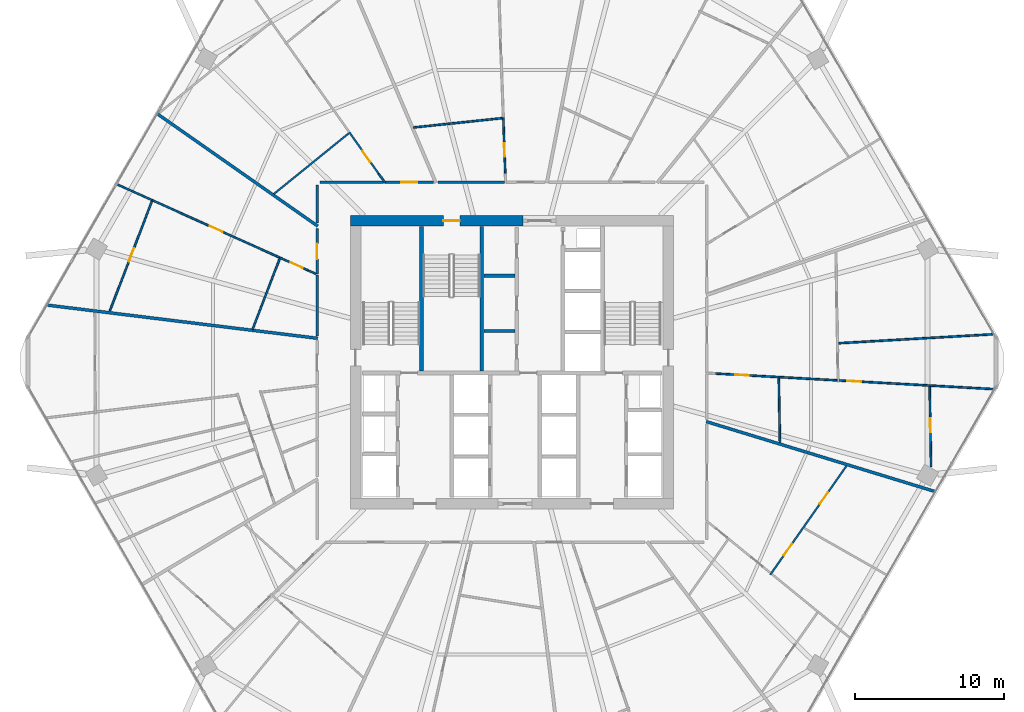
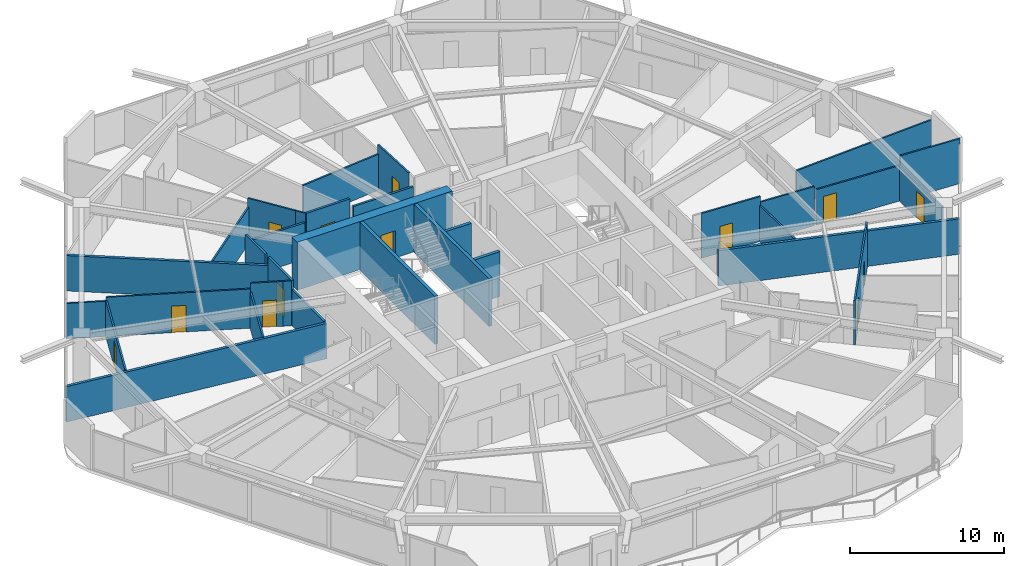
# One storey, part 27 of 33: 33 walls, 13 doors, 13 openings.
"""IFC4 building model written with IfcOpenShell, lengths in metres."""

from ifc_helpers import new_model, si_unit, direction, frame, frame_2d, origin, place, context, subcontext, project, spatial, rectangle, extrude, material, layer, layer_set, type_object, element, fill, save


model = new_model("IFC4")

# Units and contexts
model_context = context("Model", 3, precision=1e-05, world=origin(), true_north=direction((0.0, 1.0)))
body_context = subcontext(model_context, "Body", "Model", "MODEL_VIEW")
ifc_project = project(units=[si_unit("LENGTHUNIT", "METRE"), si_unit("AREAUNIT", "SQUARE_METRE"), si_unit("VOLUMEUNIT", "CUBIC_METRE"), si_unit("PLANEANGLEUNIT", "RADIAN"), si_unit("MASSUNIT", "GRAM", prefix="KILO")], contexts=[model_context])

# Site, building, storey
site_placement = place(None, origin())
site = spatial("IfcSite", under=ifc_project, at=site_placement, CompositionType="ELEMENT")
building_placement = place(site_placement, origin())
building = spatial("IfcBuilding", under=site, at=building_placement, Name="Zuhravey Tower", CompositionType="ELEMENT")
storey_placement = place(building_placement, frame((0.0, 0.0, 103.800048828125)))
storey = spatial("IfcBuildingStorey", under=building, at=storey_placement, Name="L25", CompositionType="ELEMENT", Elevation=103.800048828125)

# Wall, opening, door
ifc_material_1 = material(Name="Concrete C60/75", Category="concrete")
ifc_layer_1 = layer(ifc_material_1, 0.699951171875)
ifc_layer_set_1 = layer_set([ifc_layer_1], Name="Concrete C60/75")
wall_type_1 = type_object("IfcWallType", Name="Core Shear Wall 700", PredefinedType="SHEAR", material=ifc_layer_set_1)
wall_1_placement = place(storey_placement, frame((36.75, 41.5, 0.0), z_axis=(0.0, 0.0, 1.0), x_axis=(-1.0, 0.0, 0.0)))
wall_1 = element("IfcWall", 1, at=wall_1_placement, inside=storey, type_object=wall_type_1, Name="L25 North-West Core Shear Wall CW70", PredefinedType="SHEAR", context=body_context, shape_type="SweptSolid", body=[
    extrude(rectangle(XDim=11.60009765625, YDim=0.699951171875, at=frame_2d((5.800048828125, 0.0))), origin(), (0.0, 0.0, 1.0), 3.800048828125),
])
opening_1_placement = place(wall_1_placement, frame((4.25, 0.0, 0.0)))
opening_1 = element("IfcOpeningElement", 2, at=opening_1_placement, cuts=wall_1, Name="Opening STD1", PredefinedType="OPENING", context=body_context, shape_type="SweptSolid", body=[
    extrude(rectangle(XDim=1.10009765625, YDim=2.14990234375, at=frame_2d((0.550048828125, 1.074951171875))), frame((0.0, 0.362060546875, 0.0), z_axis=(0.0, -1.0, 0.0), x_axis=(1.0, 0.0, 0.0)), (0.0, 0.0, 1.0), 0.723876953125),
])
ifc_material_2 = material(Name="Galvanised fire-rated steel leaf", Category="steel")
door_type_1 = type_object("IfcDoorType", Name="Protected Stair Fire Door 1100x2150", OperationType="NOTDEFINED", PredefinedType="USERDEFINED", material=ifc_material_2)
door_1_placement = place(opening_1_placement, origin())
door_1 = element("IfcDoor", 3, at=door_1_placement, inside=storey, type_object=door_type_1, Name="L25 Stair ST3 Door", ObjectType="EXITDOOR", OperationType="SINGLE_SWING_RIGHT", OverallHeight=2.14990234375, OverallWidth=1.10009765625, PredefinedType="USERDEFINED", context=body_context, shape_type="SweptSolid", body=[
    extrude(rectangle(XDim=1.10009765625, YDim=2.14990234375, at=frame_2d((0.550048828125, 1.074951171875))), frame((0.0, 0.02490234375, 0.0), z_axis=(0.0, -1.0, 0.0), x_axis=(1.0, 0.0, 0.0)), (0.0, 0.0, 1.0), 0.050048828125),
])
fill(opening_1, door_1)

ifc_material_3 = material(Name="Gypsum fire-rated stud partition")
ifc_layer_2 = layer(ifc_material_3, 0.159912109375)
ifc_layer_set_2 = layer_set([ifc_layer_2], Name="Gypsum fire-rated stud partition")
wall_type_2 = type_object("IfcWallType", Name="Corridor Fire Partition 160", PredefinedType="PARTITIONING", material=ifc_layer_set_2)
wall_2_placement = place(storey_placement, frame((30.7255859375, 44.080078125, 0.0), z_axis=(0.0, 0.0, 1.0), x_axis=(-1.0, 0.0, 0.0)))
wall_2 = element("IfcWall", 4, at=wall_2_placement, inside=storey, type_object=wall_type_2, Name="L25 IW16 Partition 038", PredefinedType="PARTITIONING", context=body_context, shape_type="SweptSolid", body=[
    extrude(rectangle(XDim=3.247802734375, YDim=0.159912109375, at=frame_2d((1.6240234375, 0.0))), origin(), (0.0, 0.0, 1.0), 3.550048828125),
])
opening_2_placement = place(wall_2_placement, frame((1.09912109375, 0.0, 0.0)))
opening_2 = element("IfcOpeningElement", 5, at=opening_2_placement, cuts=wall_2, Name="Opening APD1", PredefinedType="OPENING", context=body_context, shape_type="SweptSolid", body=[
    extrude(rectangle(XDim=1.050048828125, YDim=2.14990234375, at=frame_2d((0.52490234375, 1.074951171875))), frame((0.0, 0.092041015625, 0.0), z_axis=(0.0, -1.0, 0.0), x_axis=(1.0, 0.0, 0.0)), (0.0, 0.0, 1.0), 0.183837890625),
])
ifc_material_4 = material(Name="Solid-core oak fire-rated leaf")
door_type_2 = type_object("IfcDoorType", Name="Apartment Entrance Fire Door 1050x2150", OperationType="NOTDEFINED", PredefinedType="DOOR", material=ifc_material_4)
door_2_placement = place(opening_2_placement, frame((1.050048828125, 0.0, 0.0), z_axis=(0.0, 0.0, 1.0), x_axis=(-1.0, 0.0, 0.0)))
door_2 = element("IfcDoor", 6, at=door_2_placement, inside=storey, type_object=door_type_2, Name="L25 Door 038.1", OperationType="SINGLE_SWING_RIGHT", OverallHeight=2.14990234375, OverallWidth=1.050048828125, PredefinedType="DOOR", context=body_context, shape_type="SweptSolid", body=[
    extrude(rectangle(XDim=1.050048828125, YDim=2.14990234375, at=frame_2d((0.52490234375, 1.074951171875))), frame((0.0, 0.02490234375, 0.0), z_axis=(0.0, -1.0, 0.0), x_axis=(1.0, 0.0, 0.0)), (0.0, 0.0, 1.0), 0.050048828125),
])
fill(opening_2, door_2)

wall_3_placement = place(storey_placement, frame((22.919921875, 40.96533203125, 0.0), z_axis=(0.0, 0.0, 1.0), x_axis=(0.0, -1.0, 0.0)))
wall_3 = element("IfcWall", 7, at=wall_3_placement, inside=storey, type_object=wall_type_2, Name="L25 IW16 Partition 042", PredefinedType="PARTITIONING", context=body_context, shape_type="SweptSolid", body=[
    extrude(rectangle(XDim=3.053955078125, YDim=0.159912109375, at=frame_2d((1.52685546875, 0.0))), origin(), (0.0, 0.0, 1.0), 3.550048828125),
])
opening_3_placement = place(wall_3_placement, frame((1.002197265625, 0.0, 0.0)))
opening_3 = element("IfcOpeningElement", 8, at=opening_3_placement, cuts=wall_3, Name="Opening APD1", PredefinedType="OPENING", context=body_context, shape_type="SweptSolid", body=[
    extrude(rectangle(XDim=1.050048828125, YDim=2.14990234375, at=frame_2d((0.52490234375, 1.074951171875))), frame((0.0, 0.092041015625, 0.0), z_axis=(0.0, -1.0, 0.0), x_axis=(1.0, 0.0, 0.0)), (0.0, 0.0, 1.0), 0.183837890625),
])
door_3_placement = place(opening_3_placement, frame((1.050048828125, 0.0, 0.0), z_axis=(0.0, 0.0, 1.0), x_axis=(-1.0, 0.0, 0.0)))
door_3 = element("IfcDoor", 9, at=door_3_placement, inside=storey, type_object=door_type_2, Name="L25 Door 042.1", OperationType="SINGLE_SWING_RIGHT", OverallHeight=2.14990234375, OverallWidth=1.050048828125, PredefinedType="DOOR", context=body_context, shape_type="SweptSolid", body=[
    extrude(rectangle(XDim=1.050048828125, YDim=2.14990234375, at=frame_2d((0.52490234375, 1.074951171875))), frame((0.0, 0.02490234375, 0.0), z_axis=(0.0, -1.0, 0.0), x_axis=(1.0, 0.0, 0.0)), (0.0, 0.0, 1.0), 0.050048828125),
])
fill(opening_3, door_3)

# Walls
wall_4_placement = place(storey_placement, frame((35.501708984375, 44.080078125, 0.0), z_axis=(0.0, 0.0, 1.0), x_axis=(-1.0, 0.0, 0.0)))
element("IfcWall", 10, at=wall_4_placement, inside=storey, type_object=wall_type_2, Name="L25 IW16 Partition 140", PredefinedType="PARTITIONING", context=body_context, shape_type="SweptSolid", body=[
    extrude(rectangle(XDim=4.48388671875, YDim=0.159912109375, at=frame_2d((2.241943359375, 0.0))), origin(), (0.0, 0.0, 1.0), 2.849853515625),
])
wall_5_placement = place(storey_placement, frame((27.369873046875, 44.080078125, 0.0), z_axis=(0.0, 0.0, 1.0), x_axis=(-1.0, 0.0, 0.0)))
element("IfcWall", 11, at=wall_5_placement, inside=storey, type_object=wall_type_2, Name="L25 IW16 Partition 141", PredefinedType="PARTITIONING", context=body_context, shape_type="SweptSolid", body=[
    extrude(rectangle(XDim=4.269775390625, YDim=0.159912109375, at=frame_2d((2.134765625, 0.0))), origin(), (0.0, 0.0, 1.0), 2.849853515625),
])
wall_6_placement = place(storey_placement, frame((22.919921875, 43.89990234375, 0.0), z_axis=(0.0, 0.0, 1.0), x_axis=(0.0, -1.0, 0.0)))
element("IfcWall", 12, at=wall_6_placement, inside=storey, type_object=wall_type_2, Name="L25 IW16 Partition 142", PredefinedType="PARTITIONING", context=body_context, shape_type="SweptSolid", body=[
    extrude(rectangle(XDim=2.54541015625, YDim=0.159912109375, at=frame_2d((1.272705078125, 0.0))), origin(), (0.0, 0.0, 1.0), 3.550048828125),
])
wall_7_placement = place(storey_placement, frame((22.919921875, 37.867431640625, 0.0), z_axis=(0.0, 0.0, 1.0), x_axis=(0.0, -1.0, 0.0)))
element("IfcWall", 13, at=wall_7_placement, inside=storey, type_object=wall_type_2, Name="L25 IW16 Partition 143", PredefinedType="PARTITIONING", context=body_context, shape_type="SweptSolid", body=[
    extrude(rectangle(XDim=4.125244140625, YDim=0.159912109375, at=frame_2d((2.0625, 0.0))), origin(), (0.0, 0.0, 1.0), 2.849853515625),
])
ifc_material_5 = material(Name="Concrete C50/60", Category="concrete")
ifc_layer_3 = layer(ifc_material_5, 0.25)
ifc_layer_set_3 = layer_set([ifc_layer_3], Name="Concrete C50/60")
wall_type_3 = type_object("IfcWallType", Name="Firefighting Shaft & Stair Wall 250", PredefinedType="SOLIDWALL", material=ifc_layer_set_3)
for number, where, z_axis, x_axis, name in (
    (14, (29.925048828125, 31.39990234375, 0.0), (0.0, 0.0, 1.0), (0.0, 1.0, 0.0), "L25 FW25 Shaft Wall 004"),
    (15, (33.97509765625, 31.39990234375, 0.0), (0.0, 0.0, 1.0), (0.0, 1.0, 0.0), "L25 FW25 Shaft Wall 005"),
):
    element("IfcWall", number, at=place(storey_placement, frame(where, z_axis=z_axis, x_axis=x_axis)), inside=storey, type_object=wall_type_3, Name=name, PredefinedType="SOLIDWALL", context=body_context, shape_type="SweptSolid", body=[
        extrude(rectangle(XDim=9.7001953125, YDim=0.25, at=frame_2d((4.85009765625, 0.0))), origin(), (0.0, 0.0, 1.0), 3.800048828125),
    ])
ifc_material_6 = material(Name="Gypsum double-stud party assembly")
ifc_layer_4 = layer(ifc_material_6, 0.199951171875)
ifc_layer_set_4 = layer_set([ifc_layer_4], Name="Gypsum double-stud party assembly")
wall_type_4 = type_object("IfcWallType", Name="Inter-Tenancy Party Wall 200", PredefinedType="PARTITIONING", material=ifc_layer_set_4)
wall_8_placement = place(storey_placement, frame((22.9599609375, 41.130615234375, 0.0), z_axis=(0.0, 0.0, 1.0), x_axis=(-0.819148180014, 0.573581955068, 0.0)))
element("IfcWall", 16, at=wall_8_placement, inside=storey, type_object=wall_type_4, Name="L25 IW20 Partition 101", PredefinedType="PARTITIONING", context=body_context, shape_type="SweptSolid", body=[
    extrude(rectangle(XDim=13.150146484375, YDim=0.199951171875, at=frame_2d((6.5751953125, 0.0))), origin(), (0.0, 0.0, 1.0), 2.800048828125),
])
wall_9_placement = place(storey_placement, frame((22.9599609375, 33.60107421875, 0.0), z_axis=(0.0, 0.0, 1.0), x_axis=(-0.99254551981, 0.121874489148, 0.0)))
element("IfcWall", 17, at=wall_9_placement, inside=storey, type_object=wall_type_4, Name="L25 IW20 Partition 105", PredefinedType="PARTITIONING", context=body_context, shape_type="SweptSolid", body=[
    extrude(rectangle(XDim=18.3212890625, YDim=0.199951171875, at=frame_2d((9.16064453125, 0.0))), origin(), (0.0, 0.0, 1.0), 2.800048828125),
])
wall_10_placement = place(storey_placement, frame((49.0400390625, 28.01318359375, 0.0), z_axis=(0.0, 0.0, 1.0), x_axis=(0.956308788135, -0.292358515757, 0.0)))
element("IfcWall", 18, at=wall_10_placement, inside=storey, type_object=wall_type_4, Name="L25 IW20 Partition 132", PredefinedType="PARTITIONING", context=body_context, shape_type="SweptSolid", body=[
    extrude(rectangle(XDim=16.084228515625, YDim=0.199951171875, at=frame_2d((8.0419921875, 0.0))), origin(), (0.0, 0.0, 1.0), 2.800048828125),
])
ifc_material_7 = material(Name="Gypsum acoustic stud assembly")
ifc_layer_5 = layer(ifc_material_7, 0.219970703125)
ifc_layer_set_5 = layer_set([ifc_layer_5], Name="Gypsum acoustic stud assembly")
wall_type_5 = type_object("IfcWallType", Name="School Acoustic Compartment Wall 220", PredefinedType="PARTITIONING", material=ifc_layer_set_5)
for number, where, z_axis, x_axis, name in (
    (19, (34.10791015625, 34.10009765625, 0.0), (0.0, 0.0, 1.0), (1.0, 0.0, 0.0), "L25 IW22 Partition 075"),
    (20, (34.10791015625, 37.800048828125, 0.0), (0.0, 0.0, 1.0), (1.0, 0.0, 0.0), "L25 IW22 Partition 076"),
):
    element("IfcWall", number, at=place(storey_placement, frame(where, z_axis=z_axis, x_axis=x_axis)), inside=storey, type_object=wall_type_5, Name=name, PredefinedType="PARTITIONING", context=body_context, shape_type="SweptSolid", body=[
        extrude(rectangle(XDim=2.083984375, YDim=0.219970703125, at=frame_2d((1.0419921875, 0.0))), origin(), (0.0, 0.0, 1.0), 3.550048828125),
    ])

# Wall, opening, door
ifc_material_8 = material(Name="Gypsum metal-stud partition")
ifc_layer_6 = layer(ifc_material_8, 0.1201171875)
ifc_layer_set_6 = layer_set([ifc_layer_6], Name="Gypsum metal-stud partition")
wall_type_6 = type_object("IfcWallType", Name="Unit Internal Partition 120", PredefinedType="PARTITIONING", material=ifc_layer_set_6)
wall_11_placement = place(storey_placement, frame((35.54931640625, 44.64990234375, 0.0), z_axis=(0.0, 0.0, 1.0), x_axis=(-0.03561286173, 0.999365660847, 0.0)))
wall_11 = element("IfcWall", 21, at=wall_11_placement, inside=storey, type_object=wall_type_6, Name="L25 IW12 Partition 029", PredefinedType="PARTITIONING", context=body_context, shape_type="SweptSolid", body=[
    extrude(rectangle(XDim=3.763671875, YDim=0.1201171875, at=frame_2d((1.8818359375, 0.0))), origin(), (0.0, 0.0, 1.0), 3.550048828125),
])
opening_4_placement = place(wall_11_placement, frame((1.130615234375, 0.0, 0.0)))
opening_4 = element("IfcOpeningElement", 22, at=opening_4_placement, cuts=wall_11, Name="Opening WCD1", PredefinedType="OPENING", context=body_context, shape_type="SweptSolid", body=[
    extrude(rectangle(XDim=0.89990234375, YDim=2.10009765625, at=frame_2d((0.449951171875, 1.050048828125))), frame((0.0, 0.072021484375, 0.0), z_axis=(0.0, -1.0, 0.0), x_axis=(1.0, 0.0, 0.0)), (0.0, 0.0, 1.0), 0.14404296875),
])
ifc_material_9 = material(Name="Moisture-resistant timber leaf", Category="wood")
door_type_3 = type_object("IfcDoorType", Name="Bathroom & WC Internal Door 900x2100", OperationType="NOTDEFINED", PredefinedType="DOOR", material=ifc_material_9)
door_4_placement = place(opening_4_placement, origin())
door_4 = element("IfcDoor", 23, at=door_4_placement, inside=storey, type_object=door_type_3, Name="Apartment L25-03 Bathroom Door", OperationType="SINGLE_SWING_RIGHT", OverallHeight=2.10009765625, OverallWidth=0.89990234375, PredefinedType="DOOR", context=body_context, shape_type="SweptSolid", body=[
    extrude(rectangle(XDim=0.89990234375, YDim=2.10009765625, at=frame_2d((0.449951171875, 1.050048828125))), frame((0.0, 0.02490234375, 0.0), z_axis=(0.0, -1.0, 0.0), x_axis=(1.0, 0.0, 0.0)), (0.0, 0.0, 1.0), 0.050048828125),
])
fill(opening_4, door_4)

wall_12_placement = place(storey_placement, frame((27.0498046875, 44.64990234375, 0.0), z_axis=(0.0, 0.0, 1.0), x_axis=(-0.577553372085, 0.816352927595, 0.0)))
wall_12 = element("IfcWall", 24, at=wall_12_placement, inside=storey, type_object=wall_type_6, Name="L25 IW12 Partition 034", PredefinedType="PARTITIONING", context=body_context, shape_type="SweptSolid", body=[
    extrude(rectangle(XDim=3.40234375, YDim=0.1201171875, at=frame_2d((1.701171875, 0.0))), origin(), (0.0, 0.0, 1.0), 3.550048828125),
])
opening_5_placement = place(wall_12_placement, frame((0.97900390625, 0.0, 0.0)))
opening_5 = element("IfcOpeningElement", 25, at=opening_5_placement, cuts=wall_12, Name="Opening WCD1", PredefinedType="OPENING", context=body_context, shape_type="SweptSolid", body=[
    extrude(rectangle(XDim=0.89990234375, YDim=2.10009765625, at=frame_2d((0.449951171875, 1.050048828125))), frame((0.0, 0.072021484375, 0.0), z_axis=(0.0, -1.0, 0.0), x_axis=(1.0, 0.0, 0.0)), (0.0, 0.0, 1.0), 0.14404296875),
])
door_5_placement = place(opening_5_placement, origin())
door_5 = element("IfcDoor", 26, at=door_5_placement, inside=storey, type_object=door_type_3, Name="Apartment L25-04 Bathroom Door", OperationType="SINGLE_SWING_LEFT", OverallHeight=2.10009765625, OverallWidth=0.89990234375, PredefinedType="DOOR", context=body_context, shape_type="SweptSolid", body=[
    extrude(rectangle(XDim=0.89990234375, YDim=2.10009765625, at=frame_2d((0.449951171875, 1.050048828125))), frame((0.0, 0.02490234375, 0.0), z_axis=(0.0, -1.0, 0.0), x_axis=(1.0, 0.0, 0.0)), (0.0, 0.0, 1.0), 0.050048828125),
])
fill(opening_5, door_5)

wall_13_placement = place(storey_placement, frame((22.35009765625, 38.14599609375, 0.0), z_axis=(0.0, 0.0, 1.0), x_axis=(-0.911826982845, 0.410574662341, 0.0)))
wall_13 = element("IfcWall", 27, at=wall_13_placement, inside=storey, type_object=wall_type_6, Name="L25 IW12 Partition 039", PredefinedType="PARTITIONING", context=body_context, shape_type="SweptSolid", body=[
    extrude(rectangle(XDim=2.126953125, YDim=0.1201171875, at=frame_2d((1.0634765625, 0.0))), origin(), (0.0, 0.0, 1.0), 3.550048828125),
])
opening_6_placement = place(wall_13_placement, frame((0.443359375, 0.0, 0.0)))
opening_6 = element("IfcOpeningElement", 28, at=opening_6_placement, cuts=wall_13, Name="Opening WCD1", PredefinedType="OPENING", context=body_context, shape_type="SweptSolid", body=[
    extrude(rectangle(XDim=0.89990234375, YDim=2.10009765625, at=frame_2d((0.449951171875, 1.050048828125))), frame((0.0, 0.072021484375, 0.0), z_axis=(0.0, -1.0, 0.0), x_axis=(1.0, 0.0, 0.0)), (0.0, 0.0, 1.0), 0.14404296875),
])
door_6_placement = place(opening_6_placement, origin())
door_6 = element("IfcDoor", 29, at=door_6_placement, inside=storey, type_object=door_type_3, Name="Apartment L25-05 Bathroom Door", OperationType="SINGLE_SWING_LEFT", OverallHeight=2.10009765625, OverallWidth=0.89990234375, PredefinedType="DOOR", context=body_context, shape_type="SweptSolid", body=[
    extrude(rectangle(XDim=0.89990234375, YDim=2.10009765625, at=frame_2d((0.449951171875, 1.050048828125))), frame((0.0, 0.02490234375, 0.0), z_axis=(0.0, -1.0, 0.0), x_axis=(1.0, 0.0, 0.0)), (0.0, 0.0, 1.0), 0.050048828125),
])
fill(opening_6, door_6)

wall_14_placement = place(storey_placement, frame((20.41064453125, 39.019287109375, 0.0), z_axis=(0.0, 0.0, 1.0), x_axis=(-0.911837449282, 0.410551417104, 0.0)))
wall_14 = element("IfcWall", 30, at=wall_14_placement, inside=storey, type_object=wall_type_6, Name="L25 IW12 Partition 040", PredefinedType="PARTITIONING", context=body_context, shape_type="SweptSolid", body=[
    extrude(rectangle(XDim=9.404052734375, YDim=0.1201171875, at=frame_2d((4.7021484375, 0.0))), origin(), (0.0, 0.0, 1.0), 3.099853515625),
])
opening_7_placement = place(wall_14_placement, frame((4.2021484375, 0.0, 0.0)))
opening_7 = element("IfcOpeningElement", 31, at=opening_7_placement, cuts=wall_14, Name="Opening IND1", PredefinedType="OPENING", context=body_context, shape_type="SweptSolid", body=[
    extrude(rectangle(XDim=0.949951171875, YDim=2.10009765625, at=frame_2d((0.47509765625, 1.050048828125))), frame((0.0, 0.072021484375, 0.0), z_axis=(0.0, -1.0, 0.0), x_axis=(1.0, 0.0, 0.0)), (0.0, 0.0, 1.0), 0.14404296875),
])
ifc_material_10 = material(Name="Painted engineered timber leaf", Category="wood")
door_type_4 = type_object("IfcDoorType", Name="Internal Room & Bedroom Door 950x2100", OperationType="NOTDEFINED", PredefinedType="DOOR", material=ifc_material_10)
door_7_placement = place(opening_7_placement, origin())
door_7 = element("IfcDoor", 32, at=door_7_placement, inside=storey, type_object=door_type_4, Name="Apartment L25-05 Home Office Door", OperationType="SINGLE_SWING_RIGHT", OverallHeight=2.10009765625, OverallWidth=0.949951171875, PredefinedType="DOOR", context=body_context, shape_type="SweptSolid", body=[
    extrude(rectangle(XDim=0.949951171875, YDim=2.10009765625, at=frame_2d((0.47509765625, 1.050048828125))), frame((0.0, 0.02490234375, 0.0), z_axis=(0.0, -1.0, 0.0), x_axis=(1.0, 0.0, 0.0)), (0.0, 0.0, 1.0), 0.050048828125),
])
fill(opening_7, door_7)

wall_15_placement = place(storey_placement, frame((11.833984375, 42.806396484375, 0.0), z_axis=(0.0, 0.0, 1.0), x_axis=(-0.358347623064, -0.933588228848, 0.0)))
wall_15 = element("IfcWall", 33, at=wall_15_placement, inside=storey, type_object=wall_type_6, Name="L25 IW12 Partition 041", PredefinedType="PARTITIONING", context=body_context, shape_type="SweptSolid", body=[
    extrude(rectangle(XDim=7.877197265625, YDim=0.1201171875, at=frame_2d((3.9384765625, 0.0))), origin(), (0.0, 0.0, 1.0), 2.849853515625),
])
opening_8_placement = place(wall_15_placement, frame((3.37939453125, 0.0, 0.0)))
opening_8 = element("IfcOpeningElement", 34, at=opening_8_placement, cuts=wall_15, Name="Opening IND1", PredefinedType="OPENING", context=body_context, shape_type="SweptSolid", body=[
    extrude(rectangle(XDim=0.949951171875, YDim=2.10009765625, at=frame_2d((0.47509765625, 1.050048828125))), frame((0.0, 0.072021484375, 0.0), z_axis=(0.0, -1.0, 0.0), x_axis=(1.0, 0.0, 0.0)), (0.0, 0.0, 1.0), 0.14404296875),
])
door_8_placement = place(opening_8_placement, frame((0.949951171875, 0.0, 0.0), z_axis=(0.0, 0.0, 1.0), x_axis=(-1.0, 0.0, 0.0)))
door_8 = element("IfcDoor", 35, at=door_8_placement, inside=storey, type_object=door_type_4, Name="Apartment L25-05 Kitchen Door", OperationType="SINGLE_SWING_LEFT", OverallHeight=2.10009765625, OverallWidth=0.949951171875, PredefinedType="DOOR", context=body_context, shape_type="SweptSolid", body=[
    extrude(rectangle(XDim=0.949951171875, YDim=2.10009765625, at=frame_2d((0.47509765625, 1.050048828125))), frame((0.0, 0.02490234375, 0.0), z_axis=(0.0, -1.0, 0.0), x_axis=(1.0, 0.0, 0.0)), (0.0, 0.0, 1.0), 0.050048828125),
])
fill(opening_8, door_8)

# Wall, openings, doors
wall_16_placement = place(storey_placement, frame((53.33544921875, 17.732421875, 0.0), z_axis=(0.0, 0.0, 1.0), x_axis=(0.573576398243, 0.819152070972, 0.0)))
wall_16 = element("IfcWall", 36, at=wall_16_placement, inside=storey, type_object=wall_type_6, Name="L25 IW12 Partition 063", PredefinedType="PARTITIONING", context=body_context, shape_type="SweptSolid", body=[
    extrude(rectangle(XDim=8.90673828125, YDim=0.1201171875, at=frame_2d((4.453369140625, 0.0))), origin(), (0.0, 0.0, 1.0), 3.550048828125),
])
opening_9_placement = place(wall_16_placement, frame((1.576416015625, 0.0, 0.0)))
opening_9 = element("IfcOpeningElement", 37, at=opening_9_placement, cuts=wall_16, Name="Opening IND1", PredefinedType="OPENING", context=body_context, shape_type="SweptSolid", body=[
    extrude(rectangle(XDim=0.949951171875, YDim=2.10009765625, at=frame_2d((0.47509765625, 1.050048828125))), frame((0.0, 0.072021484375, 0.0), z_axis=(0.0, -1.0, 0.0), x_axis=(1.0, 0.0, 0.0)), (0.0, 0.0, 1.0), 0.14404296875),
])
opening_10_placement = place(wall_16_placement, frame((5.789306640625, 0.0, 0.0)))
opening_10 = element("IfcOpeningElement", 38, at=opening_10_placement, cuts=wall_16, Name="Opening IND1", PredefinedType="OPENING", context=body_context, shape_type="SweptSolid", body=[
    extrude(rectangle(XDim=0.949951171875, YDim=2.10009765625, at=frame_2d((0.47509765625, 1.050048828125))), frame((0.0, 0.072021484375, 0.0), z_axis=(0.0, -1.0, 0.0), x_axis=(1.0, 0.0, 0.0)), (0.0, 0.0, 1.0), 0.14404296875),
])
door_9_placement = place(opening_9_placement, frame((0.949951171875, 0.0, 0.0), z_axis=(0.0, 0.0, 1.0), x_axis=(-1.0, 0.0, 0.0)))
door_9 = element("IfcDoor", 39, at=door_9_placement, inside=storey, type_object=door_type_4, Name="Apartment L25-10 Family Study Door", OperationType="SINGLE_SWING_RIGHT", OverallHeight=2.10009765625, OverallWidth=0.949951171875, PredefinedType="DOOR", context=body_context, shape_type="SweptSolid", body=[
    extrude(rectangle(XDim=0.949951171875, YDim=2.10009765625, at=frame_2d((0.47509765625, 1.050048828125))), frame((0.0, 0.02490234375, 0.0), z_axis=(0.0, -1.0, 0.0), x_axis=(1.0, 0.0, 0.0)), (0.0, 0.0, 1.0), 0.050048828125),
])
fill(opening_9, door_9)
door_10_placement = place(opening_10_placement, frame((0.949951171875, 0.0, 0.0), z_axis=(0.0, 0.0, 1.0), x_axis=(-1.0, 0.0, 0.0)))
door_10 = element("IfcDoor", 40, at=door_10_placement, inside=storey, type_object=door_type_4, Name="Apartment L25-10 Dining Room Door", OperationType="SINGLE_SWING_LEFT", OverallHeight=2.10009765625, OverallWidth=0.949951171875, PredefinedType="DOOR", context=body_context, shape_type="SweptSolid", body=[
    extrude(rectangle(XDim=0.949951171875, YDim=2.10009765625, at=frame_2d((0.47509765625, 1.050048828125))), frame((0.0, 0.02490234375, 0.0), z_axis=(0.0, -1.0, 0.0), x_axis=(1.0, 0.0, 0.0)), (0.0, 0.0, 1.0), 0.050048828125),
])
fill(opening_10, door_10)

# Wall, opening, door
wall_17_placement = place(storey_placement, frame((49.64990234375, 31.23681640625, 0.0), z_axis=(0.0, 0.0, 1.0), x_axis=(0.998441902316, -0.055801144241, 0.0)))
wall_17 = element("IfcWall", 41, at=wall_17_placement, inside=storey, type_object=wall_type_6, Name="L25 IW12 Partition 070", PredefinedType="PARTITIONING", context=body_context, shape_type="SweptSolid", body=[
    extrude(rectangle(XDim=4.28759765625, YDim=0.1201171875, at=frame_2d((2.143798828125, 0.0))), origin(), (0.0, 0.0, 1.0), 3.550048828125),
])
opening_11_placement = place(wall_17_placement, frame((1.350830078125, 0.0, 0.0)))
opening_11 = element("IfcOpeningElement", 42, at=opening_11_placement, cuts=wall_17, Name="Opening WCD1", PredefinedType="OPENING", context=body_context, shape_type="SweptSolid", body=[
    extrude(rectangle(XDim=0.89990234375, YDim=2.10009765625, at=frame_2d((0.449951171875, 1.050048828125))), frame((0.0, 0.072021484375, 0.0), z_axis=(0.0, -1.0, 0.0), x_axis=(1.0, 0.0, 0.0)), (0.0, 0.0, 1.0), 0.14404296875),
])
door_11_placement = place(opening_11_placement, frame((0.89990234375, 0.0, 0.0), z_axis=(0.0, 0.0, 1.0), x_axis=(-1.0, 0.0, 0.0)))
door_11 = element("IfcDoor", 43, at=door_11_placement, inside=storey, type_object=door_type_3, Name="Apartment L25-11 Bathroom Door", OperationType="SINGLE_SWING_RIGHT", OverallHeight=2.10009765625, OverallWidth=0.89990234375, PredefinedType="DOOR", context=body_context, shape_type="SweptSolid", body=[
    extrude(rectangle(XDim=0.89990234375, YDim=2.10009765625, at=frame_2d((0.449951171875, 1.050048828125))), frame((0.0, 0.02490234375, 0.0), z_axis=(0.0, -1.0, 0.0), x_axis=(1.0, 0.0, 0.0)), (0.0, 0.0, 1.0), 0.050048828125),
])
fill(opening_11, door_11)

# Wall
wall_18_placement = place(storey_placement, frame((53.930908203125, 30.99755859375, 0.0), z_axis=(0.0, 0.0, 1.0), x_axis=(0.998438110944, -0.055868941407, 0.0)))
element("IfcWall", 44, at=wall_18_placement, inside=storey, type_object=wall_type_6, Name="L25 IW12 Partition 071", PredefinedType="PARTITIONING", context=body_context, shape_type="SweptSolid", body=[
    extrude(rectangle(XDim=3.89794921875, YDim=0.1201171875, at=frame_2d((1.948974609375, 0.0))), origin(), (0.0, 0.0, 1.0), 3.099853515625),
])

# Wall, opening, door
wall_19_placement = place(storey_placement, frame((57.958740234375, 30.772216796875, 0.0), z_axis=(0.0, 0.0, 1.0), x_axis=(0.998441350972, -0.055811008487, 0.0)))
wall_19 = element("IfcWall", 45, at=wall_19_placement, inside=storey, type_object=wall_type_6, Name="L25 IW12 Partition 072", PredefinedType="PARTITIONING", context=body_context, shape_type="SweptSolid", body=[
    extrude(rectangle(XDim=6.106689453125, YDim=0.1201171875, at=frame_2d((3.05322265625, 0.0))), origin(), (0.0, 0.0, 1.0), 2.800048828125),
])
opening_12_placement = place(wall_19_placement, frame((0.5361328125, 0.0, 0.0)))
opening_12 = element("IfcOpeningElement", 46, at=opening_12_placement, cuts=wall_19, Name="Opening IND1", PredefinedType="OPENING", context=body_context, shape_type="SweptSolid", body=[
    extrude(rectangle(XDim=0.949951171875, YDim=2.10009765625, at=frame_2d((0.47509765625, 1.050048828125))), frame((0.0, 0.072021484375, 0.0), z_axis=(0.0, -1.0, 0.0), x_axis=(1.0, 0.0, 0.0)), (0.0, 0.0, 1.0), 0.14404296875),
])
door_12_placement = place(opening_12_placement, frame((0.949951171875, 0.0, 0.0), z_axis=(0.0, 0.0, 1.0), x_axis=(-1.0, 0.0, 0.0)))
door_12 = element("IfcDoor", 47, at=door_12_placement, inside=storey, type_object=door_type_4, Name="Apartment L25-11 Home Office Door", OperationType="SINGLE_SWING_LEFT", OverallHeight=2.10009765625, OverallWidth=0.949951171875, PredefinedType="DOOR", context=body_context, shape_type="SweptSolid", body=[
    extrude(rectangle(XDim=0.949951171875, YDim=2.10009765625, at=frame_2d((0.47509765625, 1.050048828125))), frame((0.0, 0.02490234375, 0.0), z_axis=(0.0, -1.0, 0.0), x_axis=(1.0, 0.0, 0.0)), (0.0, 0.0, 1.0), 0.050048828125),
])
fill(opening_12, door_12)

wall_20_placement = place(storey_placement, frame((64.126220703125, 24.978515625, 0.0), z_axis=(0.0, 0.0, 1.0), x_axis=(-0.017448954527, 0.999847755404, 0.0)))
wall_20 = element("IfcWall", 48, at=wall_20_placement, inside=storey, type_object=wall_type_6, Name="L25 IW12 Partition 073", PredefinedType="PARTITIONING", context=body_context, shape_type="SweptSolid", body=[
    extrude(rectangle(XDim=5.38671875, YDim=0.1201171875, at=frame_2d((2.693359375, 0.0))), origin(), (0.0, 0.0, 1.0), 2.800048828125),
])
opening_13_placement = place(wall_20_placement, frame((2.302734375, 0.0, 0.0)))
opening_13 = element("IfcOpeningElement", 49, at=opening_13_placement, cuts=wall_20, Name="Opening IND1", PredefinedType="OPENING", context=body_context, shape_type="SweptSolid", body=[
    extrude(rectangle(XDim=0.949951171875, YDim=2.10009765625, at=frame_2d((0.47509765625, 1.050048828125))), frame((0.0, 0.072021484375, 0.0), z_axis=(0.0, -1.0, 0.0), x_axis=(1.0, 0.0, 0.0)), (0.0, 0.0, 1.0), 0.14404296875),
])
door_13_placement = place(opening_13_placement, frame((0.949951171875, 0.0, 0.0), z_axis=(0.0, 0.0, 1.0), x_axis=(-1.0, 0.0, 0.0)))
door_13 = element("IfcDoor", 50, at=door_13_placement, inside=storey, type_object=door_type_4, Name="Apartment L25-11 Bedroom 1 Door", OperationType="SINGLE_SWING_RIGHT", OverallHeight=2.10009765625, OverallWidth=0.949951171875, PredefinedType="DOOR", context=body_context, shape_type="SweptSolid", body=[
    extrude(rectangle(XDim=0.949951171875, YDim=2.10009765625, at=frame_2d((0.47509765625, 1.050048828125))), frame((0.0, 0.02490234375, 0.0), z_axis=(0.0, -1.0, 0.0), x_axis=(1.0, 0.0, 0.0)), (0.0, 0.0, 1.0), 0.050048828125),
])
fill(opening_13, door_13)

# Walls
wall_21_placement = place(storey_placement, frame((35.348388671875, 48.379150390625, 0.0), z_axis=(0.0, 0.0, 1.0), x_axis=(-0.994520791482, -0.104538965509, 0.0)))
element("IfcWall", 51, at=wall_21_placement, inside=storey, type_object=wall_type_6, Name="L25 IW12 Partition 096", PredefinedType="PARTITIONING", context=body_context, shape_type="SweptSolid", body=[
    extrude(rectangle(XDim=6.013671875, YDim=0.1201171875, at=frame_2d((3.0068359375, 0.0))), origin(), (0.0, 0.0, 1.0), 2.849853515625),
])
wall_22_placement = place(storey_placement, frame((27.477783203125, 44.04541015625, 0.0), z_axis=(0.0, 0.0, 1.0), x_axis=(-0.577834412399, 0.816154024586, 0.0)))
element("IfcWall", 52, at=wall_22_placement, inside=storey, type_object=wall_type_6, Name="L25 IW12 Partition 098", PredefinedType="PARTITIONING", context=body_context, shape_type="SweptSolid", body=[
    extrude(rectangle(XDim=0.74072265625, YDim=0.1201171875, at=frame_2d((0.370361328125, 0.0))), origin(), (0.0, 0.0, 1.0), 3.550048828125),
])
wall_23_placement = place(storey_placement, frame((25.046142578125, 47.3642578125, 0.0), z_axis=(0.0, 0.0, 1.0), x_axis=(-0.777136993878, -0.629331464926, 0.0)))
element("IfcWall", 53, at=wall_23_placement, inside=storey, type_object=wall_type_6, Name="L25 IW12 Partition 100", PredefinedType="PARTITIONING", context=body_context, shape_type="SweptSolid", body=[
    extrude(rectangle(XDim=6.483154296875, YDim=0.1201171875, at=frame_2d((3.24169921875, 0.0))), origin(), (0.0, 0.0, 1.0), 2.849853515625),
])
wall_24_placement = place(storey_placement, frame((22.83203125, 37.928955078125, 0.0), z_axis=(0.0, 0.0, 1.0), x_axis=(-0.911800467551, 0.410633543897, 0.0)))
element("IfcWall", 54, at=wall_24_placement, inside=storey, type_object=wall_type_6, Name="L25 IW12 Partition 102", PredefinedType="PARTITIONING", context=body_context, shape_type="SweptSolid", body=[
    extrude(rectangle(XDim=0.528564453125, YDim=0.1201171875, at=frame_2d((0.26416015625, 0.0))), origin(), (0.0, 0.0, 1.0), 3.550048828125),
])
wall_25_placement = place(storey_placement, frame((11.835693359375, 42.880126953125, 0.0), z_axis=(0.0, 0.0, 1.0), x_axis=(-0.911821705631, 0.410586382068, 0.0)))
element("IfcWall", 55, at=wall_25_placement, inside=storey, type_object=wall_type_6, Name="L25 IW12 Partition 103", PredefinedType="PARTITIONING", context=body_context, shape_type="SweptSolid", body=[
    extrude(rectangle(XDim=2.60986328125, YDim=0.1201171875, at=frame_2d((1.304931640625, 0.0))), origin(), (0.0, 0.0, 1.0), 2.800048828125),
])
wall_26_placement = place(storey_placement, frame((20.4091796875, 38.9453125, 0.0), z_axis=(0.0, 0.0, 1.0), x_axis=(-0.358374938657, -0.933577743598, 0.0)))
element("IfcWall", 56, at=wall_26_placement, inside=storey, type_object=wall_type_6, Name="L25 IW12 Partition 104", PredefinedType="PARTITIONING", context=body_context, shape_type="SweptSolid", body=[
    extrude(rectangle(XDim=5.091552734375, YDim=0.1201171875, at=frame_2d((2.5458984375, 0.0))), origin(), (0.0, 0.0, 1.0), 2.849853515625),
])
wall_27_placement = place(storey_placement, frame((57.915283203125, 33.271484375, 0.0), z_axis=(0.0, 0.0, 1.0), x_axis=(0.998320843176, 0.057926626694, 0.0)))
element("IfcWall", 57, at=wall_27_placement, inside=storey, type_object=wall_type_6, Name="L25 IW12 Partition 133", PredefinedType="PARTITIONING", context=body_context, shape_type="SweptSolid", body=[
    extrude(rectangle(XDim=10.490234375, YDim=0.1201171875, at=frame_2d((5.2451171875, 0.0))), origin(), (0.0, 0.0, 1.0), 2.800048828125),
])
wall_28_placement = place(storey_placement, frame((64.055908203125, 30.431396484375, 0.0), z_axis=(0.0, 0.0, 1.0), x_axis=(0.998439890164, -0.05583713575, 0.0)))
element("IfcWall", 58, at=wall_28_placement, inside=storey, type_object=wall_type_6, Name="L25 IW12 Partition 135", PredefinedType="PARTITIONING", context=body_context, shape_type="SweptSolid", body=[
    extrude(rectangle(XDim=4.34619140625, YDim=0.1201171875, at=frame_2d((2.173095703125, 0.0))), origin(), (0.0, 0.0, 1.0), 3.550048828125),
])
wall_29_placement = place(storey_placement, frame((53.982421875, 26.615234375, 0.0), z_axis=(0.0, 0.0, 1.0), x_axis=(-0.017478660109, 0.999847236552, 0.0)))
element("IfcWall", 59, at=wall_29_placement, inside=storey, type_object=wall_type_6, Name="L25 IW12 Partition 136", PredefinedType="PARTITIONING", context=body_context, shape_type="SweptSolid", body=[
    extrude(rectangle(XDim=4.316162109375, YDim=0.1201171875, at=frame_2d((2.158203125, 0.0))), origin(), (0.0, 0.0, 1.0), 2.849853515625),
])

save(model, "model.ifc")
